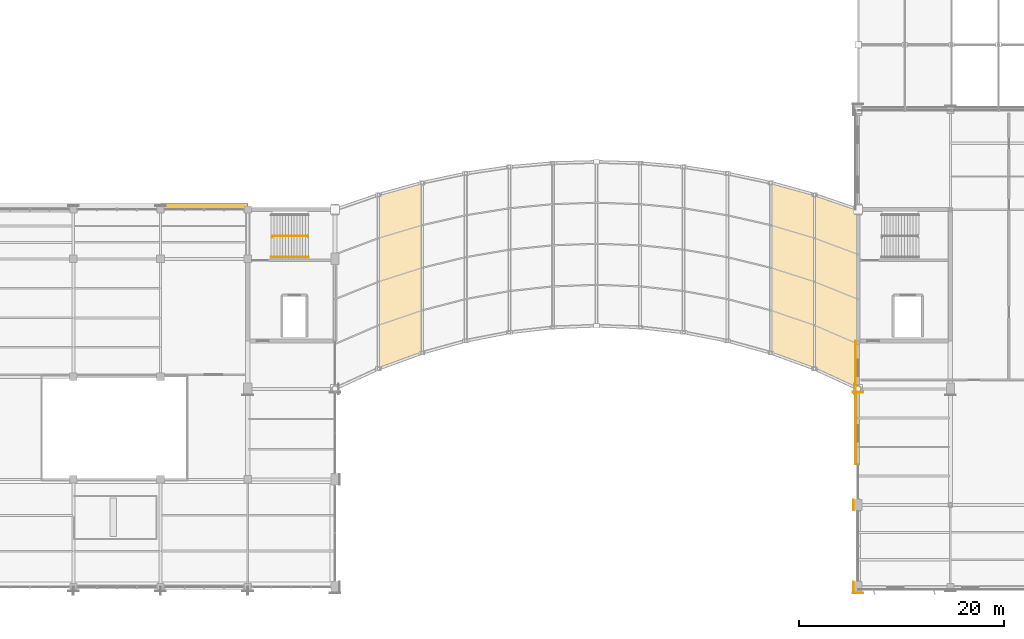
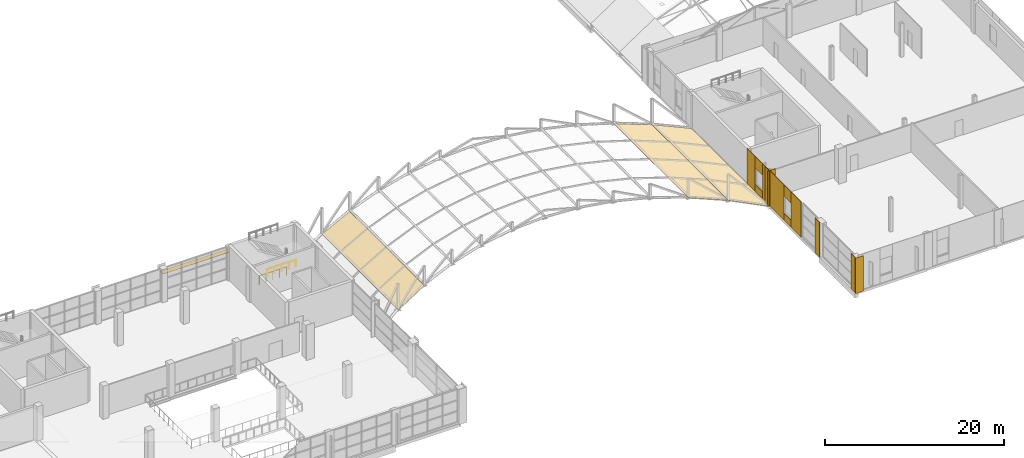
# One storey, part 94 of 101: 15 coverings, 2 railings, 1 shading device.
"""IFC4 building model written with IfcOpenShell, lengths in metres."""

from ifc_helpers import new_model, si_unit, direction, frame, origin, origin_2d, place, context, subcontext, project, spatial, polyline, rectangle, hollow_rectangle, circle, outline, extrude, material, layer, layer_set, material_profile, profile_set, type_object, element, save


model = new_model("IFC4")

# Units and contexts
model_context = context("Model", 3, precision=1e-05, world=origin(), true_north=direction((0.0, 1.0)))
body_context = subcontext(model_context, "Body", "Model", "MODEL_VIEW")
ifc_project = project(units=[si_unit("LENGTHUNIT", "METRE"), si_unit("AREAUNIT", "SQUARE_METRE"), si_unit("VOLUMEUNIT", "CUBIC_METRE"), si_unit("PLANEANGLEUNIT", "RADIAN"), si_unit("MASSUNIT", "GRAM", prefix="KILO")], contexts=[model_context])

# Site, building, storey
site_placement = place(None, origin())
site = spatial("IfcSite", under=ifc_project, at=site_placement, CompositionType="ELEMENT")
building_placement = place(site_placement, origin())
building = spatial("IfcBuilding", under=site, at=building_placement, Name="Solvikara Media Centre", CompositionType="ELEMENT")
storey_placement = place(building_placement, frame((0.0, 0.0, 10.199951171875)))
storey = spatial("IfcBuildingStorey", under=building, at=storey_placement, Name="L02", CompositionType="ELEMENT", Elevation=10.199951171875)

# Coverings
ifc_material_1 = material(Name="Perforated acoustic gypsum ceiling board")
ifc_layer_1 = layer(ifc_material_1, 0.0400390625)
ifc_layer_set_1 = layer_set([ifc_layer_1], Name="Perforated acoustic gypsum ceiling board")
covering_type_1 = type_object("IfcCoveringType", Name="CV-01", PredefinedType="CEILING", material=ifc_layer_set_1)
covering_1_placement = place(storey_placement, frame((80.75, 21.279052734375, 0.735107421875), z_axis=(-0.209997006324, 0.0, 0.97770202891), x_axis=(0.921248849741, 0.334884117714, 0.197871636557)))
element("IfcCovering", 1, at=covering_1_placement, inside=storey, type_object=covering_type_1, Name="SOF-ARC-01", PredefinedType="CEILING", context=body_context, shape_type="SweptSolid", body=[
    extrude(outline(polyline([(0.0, 0.0), (4.613302910711099, 3.191891195797325e-16), (10.174701215185761, 15.64803796922185), (5.686652813346135, 16.00046503941749), (0.0, 0.0)])), origin(), (0.0, 0.0, -1.0), 0.0400390625),
])
covering_2_placement = place(storey_placement, frame((119.0, 22.823974609375, 1.64794921875), z_axis=(0.209997006324, 0.0, 0.97770202891), x_axis=(0.921248849741, -0.334884117714, -0.197871636557)))
element("IfcCovering", 2, at=covering_2_placement, inside=storey, type_object=covering_type_1, Name="SOF-ARC-10", PredefinedType="CEILING", context=body_context, shape_type="SweptSolid", body=[
    extrude(outline(polyline([(0.0, 0.0), (4.613302910711099, -3.191891195797325e-16), (-1.073349902635036, 16.00046503941749), (-5.561398304474664, 15.64803796922185), (0.0, 0.0)])), origin(), (0.0, 0.0, -1.0), 0.0400390625),
])
covering_3_placement = place(storey_placement, frame((123.25, 21.279052734375, 0.735107421875), z_axis=(0.25376297129, 0.0, 0.96726643403), x_axis=(0.883729951341, -0.406532022653, -0.231847121311)))
element("IfcCovering", 3, at=covering_3_placement, inside=storey, type_object=covering_type_1, Name="SOF-ARC-11", PredefinedType="CEILING", context=body_context, shape_type="SweptSolid", body=[
    extrude(outline(polyline([(0.0, 0.0), (4.80916143393057, -2.220446049250313e-16), (-2.295422366249648, 15.966779860869734), (-6.903302808495639, 15.514422710219518), (0.0, 0.0)])), origin(), (0.0, 0.0, -1.0), 0.0400390625),
])
ifc_material_2 = material(Name="GFRC white mineral architectural rainscreen panel")
ifc_layer_2 = layer(ifc_material_2, 0.050048828125)
ifc_layer_set_2 = layer_set([ifc_layer_2], Name="GFRC white mineral architectural rainscreen panel")
covering_type_2 = type_object("IfcCoveringType", Name="CV-04", PredefinedType="CLADDING", material=ifc_layer_set_2)
for number, where, z_axis, x_axis, name in (
    (4, (127.5, -0.574951171875, 0.0), (0.0, 0.0, 1.0), (1.0, 0.0, 0.0), "PIL-L02-189"),
    (5, (127.074951171875, 0.0, 0.0), (0.0, 0.0, 1.0), (0.0, -1.0, 0.0), "PIL-L02-190"),
    (6, (127.074951171875, 8.0, 0.0), (0.0, 0.0, 1.0), (0.0, -1.0, 0.0), "PIL-L02-193"),
    (7, (127.5, 18.993896484375, 0.0), (0.0, 0.0, 1.0), (1.0, 0.0, 0.0), "PIL-L02-257"),
    (8, (127.169921875, 19.323974609375, 0.0), (0.0, 0.0, 1.0), (0.0, -1.0, 0.0), "PIL-L02-258"),
):
    element("IfcCovering", number, at=place(storey_placement, frame(where, z_axis=z_axis, x_axis=x_axis)), inside=storey, type_object=covering_type_2, Name=name, PredefinedType="CLADDING", context=body_context, shape_type="SweptSolid", body=[
        extrude(rectangle(XDim=1.0400390625, YDim=0.050048828125, at=origin_2d()), origin(), (0.0, 0.0, 1.0), 4.800048828125),
    ])
covering_4_placement = place(storey_placement, frame((127.2548828125, 13.06494140625, 0.0), z_axis=(0.0, 0.0, 1.0), x_axis=(0.0, 1.0, 0.0)))
element("IfcCovering", 9, at=covering_4_placement, inside=storey, type_object=covering_type_2, Name="L02-V5W-CV-F01", PredefinedType="CLADDING", context=body_context, shape_type="SweptSolid", body=[
    extrude(rectangle(XDim=2.2099609375, YDim=0.050048828125, at=origin_2d()), origin(), (0.0, 0.0, 1.0), 4.800048828125),
])
covering_5_placement = place(storey_placement, frame((127.2548828125, 14.969970703125, 0.0), z_axis=(0.0, 0.0, 1.0), x_axis=(0.0, 1.0, 0.0)))
element("IfcCovering", 10, at=covering_5_placement, inside=storey, type_object=covering_type_2, Name="L02-V5W-CV-S02", PredefinedType="CLADDING", context=body_context, shape_type="SweptSolid", body=[
    extrude(rectangle(XDim=1.60009765625, YDim=0.050048828125, at=origin_2d()), origin(), (0.0, 0.0, 1.0), 0.969970703125),
])
covering_6_placement = place(storey_placement, frame((127.2548828125, 14.969970703125, 3.22998046875), z_axis=(0.0, 0.0, 1.0), x_axis=(0.0, 1.0, 0.0)))
element("IfcCovering", 11, at=covering_6_placement, inside=storey, type_object=covering_type_2, Name="L02-V5W-CV-H02", PredefinedType="CLADDING", context=body_context, shape_type="SweptSolid", body=[
    extrude(rectangle(XDim=1.60009765625, YDim=0.050048828125, at=origin_2d()), origin(), (0.0, 0.0, 1.0), 1.570068359375),
])
covering_7_placement = place(storey_placement, frame((127.2548828125, 18.169921875, 0.0), z_axis=(0.0, 0.0, 1.0), x_axis=(0.0, 1.0, 0.0)))
element("IfcCovering", 12, at=covering_7_placement, inside=storey, type_object=covering_type_2, Name="L02-V5W-CV-F03", PredefinedType="CLADDING", context=body_context, shape_type="SweptSolid", body=[
    extrude(rectangle(XDim=4.800048828125, YDim=0.050048828125, at=origin_2d()), origin(), (0.0, 0.0, 1.0), 4.800048828125),
])
covering_8_placement = place(storey_placement, frame((127.2548828125, 21.3701171875, 0.0), z_axis=(0.0, 0.0, 1.0), x_axis=(0.0, 1.0, 0.0)))
element("IfcCovering", 13, at=covering_8_placement, inside=storey, type_object=covering_type_2, Name="L02-V5W-CV-S04", PredefinedType="CLADDING", context=body_context, shape_type="SweptSolid", body=[
    extrude(rectangle(XDim=1.60009765625, YDim=0.050048828125, at=origin_2d()), origin(), (0.0, 0.0, 1.0), 0.969970703125),
])
covering_9_placement = place(storey_placement, frame((127.2548828125, 21.3701171875, 3.22998046875), z_axis=(0.0, 0.0, 1.0), x_axis=(0.0, 1.0, 0.0)))
element("IfcCovering", 14, at=covering_9_placement, inside=storey, type_object=covering_type_2, Name="L02-V5W-CV-H04", PredefinedType="CLADDING", context=body_context, shape_type="SweptSolid", body=[
    extrude(rectangle(XDim=1.60009765625, YDim=0.050048828125, at=origin_2d()), origin(), (0.0, 0.0, 1.0), 1.570068359375),
])
covering_10_placement = place(storey_placement, frame((127.2548828125, 23.0849609375, 0.0), z_axis=(0.0, 0.0, 1.0), x_axis=(0.0, 1.0, 0.0)))
element("IfcCovering", 15, at=covering_10_placement, inside=storey, type_object=covering_type_2, Name="L02-V5W-CV-F05", PredefinedType="CLADDING", context=body_context, shape_type="SweptSolid", body=[
    extrude(rectangle(XDim=1.830078125, YDim=0.050048828125, at=origin_2d()), origin(), (0.0, 0.0, 1.0), 4.800048828125),
])

# Railings
ifc_material_3 = material(Name="Steel S355JR", Category="steel")
railing_type_1 = type_object("IfcRailingType", Name="GR-01", PredefinedType="GUARDRAIL", material=ifc_material_3)
railing_1_placement = place(storey_placement, frame((70.340087890625, 34.10009765625, 0.0)))
element("IfcRailing", 16, at=railing_1_placement, inside=storey, type_object=railing_type_1, Name="GR-C3-L01-W", PredefinedType="GUARDRAIL", context=body_context, shape_type="SweptSolid", body=[
    extrude(circle(Radius=0.02392578125, at=origin_2d()), frame((0.0, 0.0, 1.1259765625), z_axis=(0.0, 1.0, 0.0), x_axis=(-1.0, 0.0, 0.0)), (0.0, 0.0, 1.0), 0.119873046875),
    extrude(circle(Radius=0.02392578125, at=origin_2d()), frame((0.0, 0.119873046875, 1.1259765625), z_axis=(1.0, 0.0, 0.0), x_axis=(0.0, 1.0, 0.0)), (0.0, 0.0, 1.0), 3.52001953125),
    extrude(circle(Radius=0.02099609375, at=origin_2d()), origin(), (0.0, 0.0, 1.0), 1.101806640625),
    extrude(circle(Radius=0.02099609375, at=origin_2d()), frame((0.0, 0.119873046875, 0.0)), (0.0, 0.0, 1.0), 1.101806640625),
    extrude(circle(Radius=0.02099609375, at=origin_2d()), frame((0.8798828125, 0.119873046875, 0.0)), (0.0, 0.0, 1.0), 1.101806640625),
    extrude(circle(Radius=0.02099609375, at=origin_2d()), frame((1.760009765625, 0.119873046875, 0.0)), (0.0, 0.0, 1.0), 1.101806640625),
    extrude(circle(Radius=0.02099609375, at=origin_2d()), frame((2.64013671875, 0.119873046875, 0.0)), (0.0, 0.0, 1.0), 1.101806640625),
    extrude(circle(Radius=0.02099609375, at=origin_2d()), frame((3.52001953125, 0.119873046875, 0.0)), (0.0, 0.0, 1.0), 1.101806640625),
])
railing_type_2 = type_object("IfcRailingType", Name="HR-01", PredefinedType="HANDRAIL", material=ifc_material_3)
railing_2_placement = place(storey_placement, frame((70.280029296875, 32.199951171875, 2.400146484375)))
element("IfcRailing", 17, at=railing_2_placement, inside=storey, type_object=railing_type_2, Name="HR-C3-L02-1", PredefinedType="HANDRAIL", context=body_context, shape_type="SweptSolid", body=[
    extrude(circle(Radius=0.02392578125, at=origin_2d()), frame((0.0, 0.0, 0.89599609375), z_axis=(1.0, 0.0, 0.0), x_axis=(0.0, 1.0, 0.0)), (0.0, 0.0, 1.0), 3.639892578125),
    extrude(circle(Radius=0.02099609375, at=origin_2d()), origin(), (0.0, 0.0, 1.0), 0.871826171875),
    extrude(circle(Radius=0.02099609375, at=origin_2d()), frame((0.909912109375, 0.0, 0.0)), (0.0, 0.0, 1.0), 0.871826171875),
    extrude(circle(Radius=0.02099609375, at=origin_2d()), frame((1.81982421875, 0.0, 0.0)), (0.0, 0.0, 1.0), 0.871826171875),
    extrude(circle(Radius=0.02099609375, at=origin_2d()), frame((2.72998046875, 0.0, 0.0)), (0.0, 0.0, 1.0), 0.871826171875),
    extrude(circle(Radius=0.02099609375, at=origin_2d()), frame((3.639892578125, 0.0, 0.0)), (0.0, 0.0, 1.0), 0.871826171875),
])

# Shading device
ifc_material_4 = material(Name="Anodised aluminium EN AW-6063", Category="aluminium")
ifc_material_profile = material_profile(ifc_material_4, hollow_rectangle(XDim=0.60009765625, YDim=0.06005859375, WallThickness=0.00341796875, at=origin_2d()), Name="ALU-LOUVRE 60x600x3.5")
ifc_profile_set = profile_set([ifc_material_profile], Name="Anodised aluminium EN AW-6063")
shading_device_type = type_object("IfcShadingDeviceType", Name="SH-02", PredefinedType="JALOUSIE", material=ifc_profile_set)
shading_device_placement = place(storey_placement, frame((59.5, 37.10009765625, 3.60009765625), z_axis=(1.0, 0.0, 0.0), x_axis=(0.0, 1.0, 0.0)))
element("IfcShadingDevice", 18, at=shading_device_placement, inside=storey, type_object=shading_device_type, Name="LVR-L02-009", PredefinedType="JALOUSIE", context=body_context, shape_type="SweptSolid", body=[
    extrude(hollow_rectangle(XDim=0.60009765625, YDim=0.06005859375, WallThickness=0.00341796875, at=origin_2d()), origin(), (0.0, 0.0, 1.0), 8.5),
])

save(model, "model.ifc")
